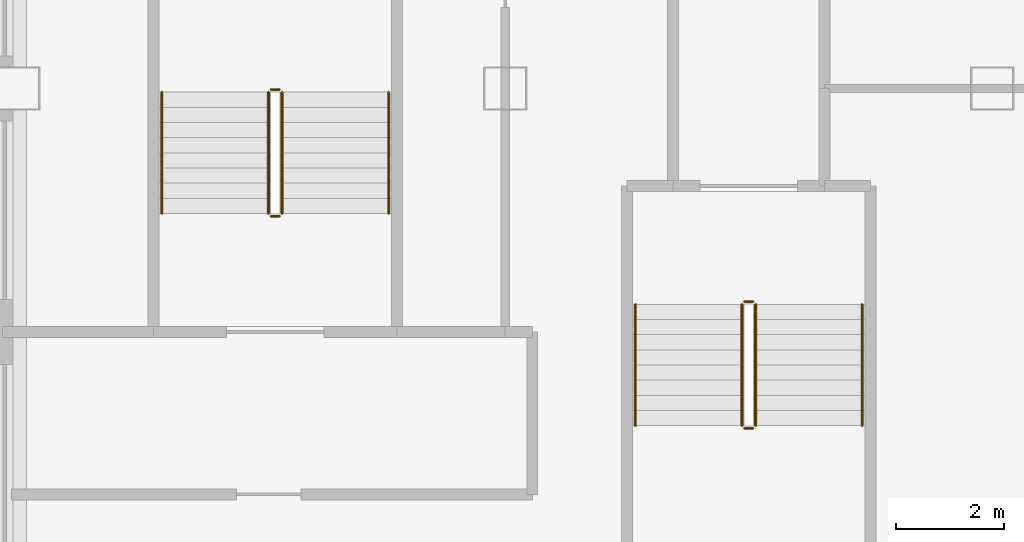
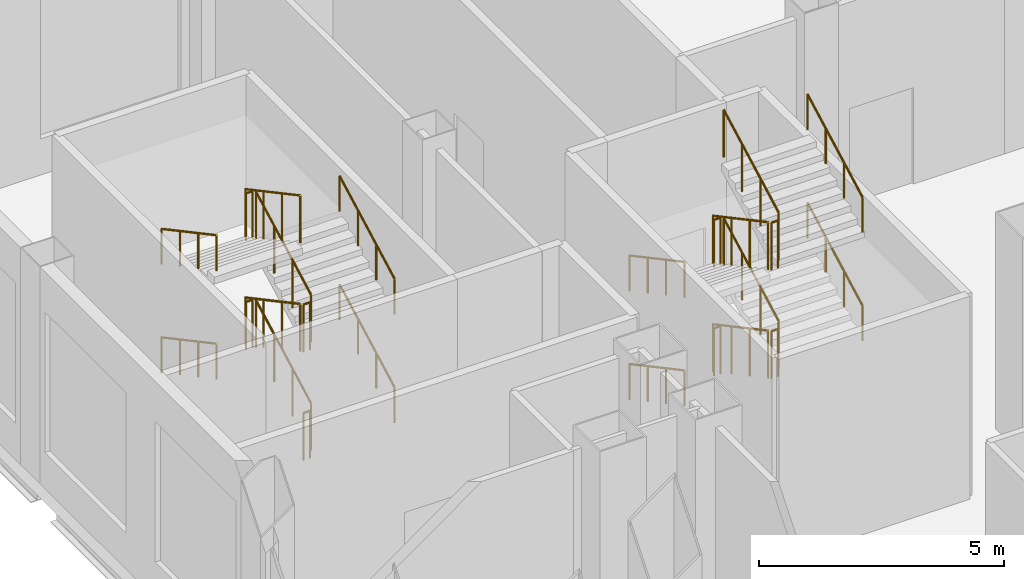
# One storey, part 25 of 27: 24 railings.
"""IFC4 building model written with IfcOpenShell, lengths in metres."""

from ifc_helpers import new_model, si_unit, direction, frame, origin, origin_2d, place, context, subcontext, project, spatial, circle, extrude, material, type_object, element, save


model = new_model("IFC4")

# Units and contexts
model_context = context("Model", 3, precision=1e-05, world=origin(), true_north=direction((0.0, 1.0)))
body_context = subcontext(model_context, "Body", "Model", "MODEL_VIEW")
ifc_project = project(units=[si_unit("LENGTHUNIT", "METRE"), si_unit("AREAUNIT", "SQUARE_METRE"), si_unit("VOLUMEUNIT", "CUBIC_METRE"), si_unit("PLANEANGLEUNIT", "RADIAN"), si_unit("MASSUNIT", "GRAM", prefix="KILO")], contexts=[model_context])

# Site, building, storey
site_placement = place(None, origin())
site = spatial("IfcSite", under=ifc_project, at=site_placement, CompositionType="ELEMENT")
building_placement = place(site_placement, origin())
building = spatial("IfcBuilding", under=site, at=building_placement, Name="Caravel Reach Hotel and Residences", CompositionType="ELEMENT")
storey_placement = place(building_placement, frame((0.0, 0.0, 6.60009765625)))
storey = spatial("IfcBuildingStorey", under=building, at=storey_placement, Name="L01", CompositionType="ELEMENT", Elevation=6.60009765625)

# Railings
ifc_material_1 = material(Name="Steel balustrade with glass infill", Category="steel")
railing_type_1 = type_object("IfcRailingType", Name="Guard 1200", PredefinedType="GUARDRAIL", material=ifc_material_1)
railing_1_placement = place(storey_placement, frame((8.875, 41.010009765625, 0.14990234375)))
element("IfcRailing", 1, at=railing_1_placement, inside=storey, type_object=railing_type_1, Name="L01 ST-P1 stair guard 1", PredefinedType="GUARDRAIL", context=body_context, shape_type="SweptSolid", body=[
    extrude(circle(Radius=0.02392578125, at=origin_2d()), frame((0.0, 0.0, 1.17578125), z_axis=(0.0, -0.881487111273, 0.472208081951), x_axis=(1.0, 0.0, 0.0)), (0.0, 0.0, 1.0), 2.541259765625),
    extrude(circle(Radius=0.02099609375, at=origin_2d()), origin(), (0.0, 0.0, 1.0), 1.15185546875),
    extrude(circle(Radius=0.02099609375, at=origin_2d()), frame((0.0, -0.74658203125, 0.39990234375)), (0.0, 0.0, 1.0), 1.15185546875),
    extrude(circle(Radius=0.02099609375, at=origin_2d()), frame((0.0, -1.493408203125, 0.800048828125)), (0.0, 0.0, 1.0), 1.15185546875),
    extrude(circle(Radius=0.02099609375, at=origin_2d()), frame((0.0, -2.239990234375, 1.199951171875)), (0.0, 0.0, 1.0), 1.15185546875),
])
railing_2_placement = place(storey_placement, frame((8.925048828125, 38.719970703125, 1.349853515625)))
element("IfcRailing", 2, at=railing_2_placement, inside=storey, type_object=railing_type_1, Name="L01 ST-P1 stair guard 2", PredefinedType="GUARDRAIL", context=body_context, shape_type="SweptSolid", body=[
    extrude(circle(Radius=0.02392578125, at=origin_2d()), frame((0.0, 0.0, 1.17578125), z_axis=(1.0, 0.0, 0.0), x_axis=(0.0, 1.0, 0.0)), (0.0, 0.0, 1.0), 0.14990234375),
    extrude(circle(Radius=0.02099609375, at=origin_2d()), origin(), (0.0, 0.0, 1.0), 1.15185546875),
    extrude(circle(Radius=0.02099609375, at=origin_2d()), frame((0.14990234375, 0.0, 0.0)), (0.0, 0.0, 1.0), 1.15185546875),
])
railing_3_placement = place(storey_placement, frame((9.125, 38.77001953125, 1.5)))
element("IfcRailing", 3, at=railing_3_placement, inside=storey, type_object=railing_type_1, Name="L01 ST-P1 stair guard 3", PredefinedType="GUARDRAIL", context=body_context, shape_type="SweptSolid", body=[
    extrude(circle(Radius=0.02392578125, at=origin_2d()), frame((0.0, 0.0, 1.17578125), z_axis=(0.0, 0.881487111273, 0.472208081951), x_axis=(-1.0, 0.0, 0.0)), (0.0, 0.0, 1.0), 2.541259765625),
    extrude(circle(Radius=0.02099609375, at=origin_2d()), origin(), (0.0, 0.0, 1.0), 1.15185546875),
    extrude(circle(Radius=0.02099609375, at=origin_2d()), frame((0.0, 0.74658203125, 0.39990234375)), (0.0, 0.0, 1.0), 1.15185546875),
    extrude(circle(Radius=0.02099609375, at=origin_2d()), frame((0.0, 1.493408203125, 0.800048828125)), (0.0, 0.0, 1.0), 1.15185546875),
    extrude(circle(Radius=0.02099609375, at=origin_2d()), frame((0.0, 2.239990234375, 1.199951171875)), (0.0, 0.0, 1.0), 1.15185546875),
])
railing_4_placement = place(storey_placement, frame((8.925048828125, 41.06005859375, 2.699951171875)))
element("IfcRailing", 4, at=railing_4_placement, inside=storey, type_object=railing_type_1, Name="L01 ST-P1 stair guard 4", PredefinedType="GUARDRAIL", context=body_context, shape_type="SweptSolid", body=[
    extrude(circle(Radius=0.02392578125, at=origin_2d()), frame((0.0, 0.0, 1.17578125), z_axis=(1.0, 0.0, 0.0), x_axis=(0.0, 1.0, 0.0)), (0.0, 0.0, 1.0), 0.14990234375),
    extrude(circle(Radius=0.02099609375, at=origin_2d()), origin(), (0.0, 0.0, 1.0), 1.15185546875),
    extrude(circle(Radius=0.02099609375, at=origin_2d()), frame((0.14990234375, 0.0, 0.0)), (0.0, 0.0, 1.0), 1.15185546875),
])
railing_5_placement = place(storey_placement, frame((8.875, 41.010009765625, 2.849853515625)))
element("IfcRailing", 5, at=railing_5_placement, inside=storey, type_object=railing_type_1, Name="L01 ST-P1 stair guard 5", PredefinedType="GUARDRAIL", context=body_context, shape_type="SweptSolid", body=[
    extrude(circle(Radius=0.02392578125, at=origin_2d()), frame((0.0, 0.0, 1.17578125), z_axis=(0.0, -0.881487111273, 0.472208081951), x_axis=(1.0, 0.0, 0.0)), (0.0, 0.0, 1.0), 2.541259765625),
    extrude(circle(Radius=0.02099609375, at=origin_2d()), origin(), (0.0, 0.0, 1.0), 1.15185546875),
    extrude(circle(Radius=0.02099609375, at=origin_2d()), frame((0.0, -0.74658203125, 0.39990234375)), (0.0, 0.0, 1.0), 1.15185546875),
    extrude(circle(Radius=0.02099609375, at=origin_2d()), frame((0.0, -1.493408203125, 0.800048828125)), (0.0, 0.0, 1.0), 1.15185546875),
    extrude(circle(Radius=0.02099609375, at=origin_2d()), frame((0.0, -2.239990234375, 1.199951171875)), (0.0, 0.0, 1.0), 1.15185546875),
])
railing_6_placement = place(storey_placement, frame((8.925048828125, 38.719970703125, 4.0498046875)))
element("IfcRailing", 6, at=railing_6_placement, inside=storey, type_object=railing_type_1, Name="L01 ST-P1 stair guard 6", PredefinedType="GUARDRAIL", context=body_context, shape_type="SweptSolid", body=[
    extrude(circle(Radius=0.02392578125, at=origin_2d()), frame((0.0, 0.0, 1.17578125), z_axis=(1.0, 0.0, 0.0), x_axis=(0.0, 1.0, 0.0)), (0.0, 0.0, 1.0), 0.14990234375),
    extrude(circle(Radius=0.02099609375, at=origin_2d()), origin(), (0.0, 0.0, 1.0), 1.15185546875),
    extrude(circle(Radius=0.02099609375, at=origin_2d()), frame((0.14990234375, 0.0, 0.0)), (0.0, 0.0, 1.0), 1.15185546875),
])
railing_7_placement = place(storey_placement, frame((9.125, 38.77001953125, 4.199951171875)))
element("IfcRailing", 7, at=railing_7_placement, inside=storey, type_object=railing_type_1, Name="L01 ST-P1 stair guard 7", PredefinedType="GUARDRAIL", context=body_context, shape_type="SweptSolid", body=[
    extrude(circle(Radius=0.02392578125, at=origin_2d()), frame((0.0, 0.0, 1.17578125), z_axis=(0.0, 0.881487111273, 0.472208081951), x_axis=(-1.0, 0.0, 0.0)), (0.0, 0.0, 1.0), 2.541259765625),
    extrude(circle(Radius=0.02099609375, at=origin_2d()), origin(), (0.0, 0.0, 1.0), 1.15185546875),
    extrude(circle(Radius=0.02099609375, at=origin_2d()), frame((0.0, 0.74658203125, 0.39990234375)), (0.0, 0.0, 1.0), 1.15185546875),
    extrude(circle(Radius=0.02099609375, at=origin_2d()), frame((0.0, 1.493408203125, 0.800048828125)), (0.0, 0.0, 1.0), 1.15185546875),
    extrude(circle(Radius=0.02099609375, at=origin_2d()), frame((0.0, 2.239990234375, 1.199951171875)), (0.0, 0.0, 1.0), 1.15185546875),
])
railing_8_placement = place(storey_placement, frame((8.925048828125, 41.06005859375, 0.0)))
element("IfcRailing", 8, at=railing_8_placement, inside=storey, type_object=railing_type_1, Name="L01 ST-P1 stair guard 8", PredefinedType="GUARDRAIL", context=body_context, shape_type="SweptSolid", body=[
    extrude(circle(Radius=0.02392578125, at=origin_2d()), frame((0.0, 0.0, 1.17578125), z_axis=(1.0, 0.0, 0.0), x_axis=(0.0, 1.0, 0.0)), (0.0, 0.0, 1.0), 0.14990234375),
    extrude(circle(Radius=0.02099609375, at=origin_2d()), origin(), (0.0, 0.0, 1.0), 1.15185546875),
    extrude(circle(Radius=0.02099609375, at=origin_2d()), frame((0.14990234375, 0.0, 0.0)), (0.0, 0.0, 1.0), 1.15185546875),
])
railing_9_placement = place(storey_placement, frame((0.375, 42.68994140625, 0.14990234375)))
element("IfcRailing", 9, at=railing_9_placement, inside=storey, type_object=railing_type_1, Name="L01 ST-P5 stair guard 1", PredefinedType="GUARDRAIL", context=body_context, shape_type="SweptSolid", body=[
    extrude(circle(Radius=0.02392578125, at=origin_2d()), frame((0.0, 0.0, 1.17578125), z_axis=(0.0, 0.881487111273, 0.472208081951), x_axis=(-1.0, 0.0, 0.0)), (0.0, 0.0, 1.0), 2.541259765625),
    extrude(circle(Radius=0.02099609375, at=origin_2d()), origin(), (0.0, 0.0, 1.0), 1.15185546875),
    extrude(circle(Radius=0.02099609375, at=origin_2d()), frame((0.0, 0.74658203125, 0.39990234375)), (0.0, 0.0, 1.0), 1.15185546875),
    extrude(circle(Radius=0.02099609375, at=origin_2d()), frame((0.0, 1.493408203125, 0.800048828125)), (0.0, 0.0, 1.0), 1.15185546875),
    extrude(circle(Radius=0.02099609375, at=origin_2d()), frame((0.0, 2.239990234375, 1.199951171875)), (0.0, 0.0, 1.0), 1.15185546875),
])
railing_10_placement = place(storey_placement, frame((0.324951171875, 44.97998046875, 1.349853515625)))
element("IfcRailing", 10, at=railing_10_placement, inside=storey, type_object=railing_type_1, Name="L01 ST-P5 stair guard 2", PredefinedType="GUARDRAIL", context=body_context, shape_type="SweptSolid", body=[
    extrude(circle(Radius=0.02392578125, at=origin_2d()), frame((0.0, 0.0, 1.17578125), z_axis=(-1.0, 0.0, 0.0), x_axis=(0.0, -1.0, 0.0)), (0.0, 0.0, 1.0), 0.14990234375),
    extrude(circle(Radius=0.02099609375, at=origin_2d()), origin(), (0.0, 0.0, 1.0), 1.15185546875),
    extrude(circle(Radius=0.02099609375, at=origin_2d()), frame((-0.14990234375, 0.0, 0.0)), (0.0, 0.0, 1.0), 1.15185546875),
])
railing_11_placement = place(storey_placement, frame((0.125, 44.929931640625, 1.5)))
element("IfcRailing", 11, at=railing_11_placement, inside=storey, type_object=railing_type_1, Name="L01 ST-P5 stair guard 3", PredefinedType="GUARDRAIL", context=body_context, shape_type="SweptSolid", body=[
    extrude(circle(Radius=0.02392578125, at=origin_2d()), frame((0.0, 0.0, 1.17578125), z_axis=(0.0, -0.881487111273, 0.472208081951), x_axis=(1.0, 0.0, 0.0)), (0.0, 0.0, 1.0), 2.541259765625),
    extrude(circle(Radius=0.02099609375, at=origin_2d()), origin(), (0.0, 0.0, 1.0), 1.15185546875),
    extrude(circle(Radius=0.02099609375, at=origin_2d()), frame((0.0, -0.74658203125, 0.39990234375)), (0.0, 0.0, 1.0), 1.15185546875),
    extrude(circle(Radius=0.02099609375, at=origin_2d()), frame((0.0, -1.493408203125, 0.800048828125)), (0.0, 0.0, 1.0), 1.15185546875),
    extrude(circle(Radius=0.02099609375, at=origin_2d()), frame((0.0, -2.239990234375, 1.199951171875)), (0.0, 0.0, 1.0), 1.15185546875),
])
railing_12_placement = place(storey_placement, frame((0.324951171875, 42.639892578125, 2.699951171875)))
element("IfcRailing", 12, at=railing_12_placement, inside=storey, type_object=railing_type_1, Name="L01 ST-P5 stair guard 4", PredefinedType="GUARDRAIL", context=body_context, shape_type="SweptSolid", body=[
    extrude(circle(Radius=0.02392578125, at=origin_2d()), frame((0.0, 0.0, 1.17578125), z_axis=(-1.0, 0.0, 0.0), x_axis=(0.0, -1.0, 0.0)), (0.0, 0.0, 1.0), 0.14990234375),
    extrude(circle(Radius=0.02099609375, at=origin_2d()), origin(), (0.0, 0.0, 1.0), 1.15185546875),
    extrude(circle(Radius=0.02099609375, at=origin_2d()), frame((-0.14990234375, 0.0, 0.0)), (0.0, 0.0, 1.0), 1.15185546875),
])
railing_13_placement = place(storey_placement, frame((0.375, 42.68994140625, 2.849853515625)))
element("IfcRailing", 13, at=railing_13_placement, inside=storey, type_object=railing_type_1, Name="L01 ST-P5 stair guard 5", PredefinedType="GUARDRAIL", context=body_context, shape_type="SweptSolid", body=[
    extrude(circle(Radius=0.02392578125, at=origin_2d()), frame((0.0, 0.0, 1.17578125), z_axis=(0.0, 0.881487111273, 0.472208081951), x_axis=(-1.0, 0.0, 0.0)), (0.0, 0.0, 1.0), 2.541259765625),
    extrude(circle(Radius=0.02099609375, at=origin_2d()), origin(), (0.0, 0.0, 1.0), 1.15185546875),
    extrude(circle(Radius=0.02099609375, at=origin_2d()), frame((0.0, 0.74658203125, 0.39990234375)), (0.0, 0.0, 1.0), 1.15185546875),
    extrude(circle(Radius=0.02099609375, at=origin_2d()), frame((0.0, 1.493408203125, 0.800048828125)), (0.0, 0.0, 1.0), 1.15185546875),
    extrude(circle(Radius=0.02099609375, at=origin_2d()), frame((0.0, 2.239990234375, 1.199951171875)), (0.0, 0.0, 1.0), 1.15185546875),
])
railing_14_placement = place(storey_placement, frame((0.324951171875, 44.97998046875, 4.0498046875)))
element("IfcRailing", 14, at=railing_14_placement, inside=storey, type_object=railing_type_1, Name="L01 ST-P5 stair guard 6", PredefinedType="GUARDRAIL", context=body_context, shape_type="SweptSolid", body=[
    extrude(circle(Radius=0.02392578125, at=origin_2d()), frame((0.0, 0.0, 1.17578125), z_axis=(-1.0, 0.0, 0.0), x_axis=(0.0, -1.0, 0.0)), (0.0, 0.0, 1.0), 0.14990234375),
    extrude(circle(Radius=0.02099609375, at=origin_2d()), origin(), (0.0, 0.0, 1.0), 1.15185546875),
    extrude(circle(Radius=0.02099609375, at=origin_2d()), frame((-0.14990234375, 0.0, 0.0)), (0.0, 0.0, 1.0), 1.15185546875),
])
railing_15_placement = place(storey_placement, frame((0.125, 44.929931640625, 4.199951171875)))
element("IfcRailing", 15, at=railing_15_placement, inside=storey, type_object=railing_type_1, Name="L01 ST-P5 stair guard 7", PredefinedType="GUARDRAIL", context=body_context, shape_type="SweptSolid", body=[
    extrude(circle(Radius=0.02392578125, at=origin_2d()), frame((0.0, 0.0, 1.17578125), z_axis=(0.0, -0.881487111273, 0.472208081951), x_axis=(1.0, 0.0, 0.0)), (0.0, 0.0, 1.0), 2.541259765625),
    extrude(circle(Radius=0.02099609375, at=origin_2d()), origin(), (0.0, 0.0, 1.0), 1.15185546875),
    extrude(circle(Radius=0.02099609375, at=origin_2d()), frame((0.0, -0.74658203125, 0.39990234375)), (0.0, 0.0, 1.0), 1.15185546875),
    extrude(circle(Radius=0.02099609375, at=origin_2d()), frame((0.0, -1.493408203125, 0.800048828125)), (0.0, 0.0, 1.0), 1.15185546875),
    extrude(circle(Radius=0.02099609375, at=origin_2d()), frame((0.0, -2.239990234375, 1.199951171875)), (0.0, 0.0, 1.0), 1.15185546875),
])
railing_16_placement = place(storey_placement, frame((0.324951171875, 42.639892578125, 0.0)))
element("IfcRailing", 16, at=railing_16_placement, inside=storey, type_object=railing_type_1, Name="L01 ST-P5 stair guard 8", PredefinedType="GUARDRAIL", context=body_context, shape_type="SweptSolid", body=[
    extrude(circle(Radius=0.02392578125, at=origin_2d()), frame((0.0, 0.0, 1.17578125), z_axis=(-1.0, 0.0, 0.0), x_axis=(0.0, -1.0, 0.0)), (0.0, 0.0, 1.0), 0.14990234375),
    extrude(circle(Radius=0.02099609375, at=origin_2d()), origin(), (0.0, 0.0, 1.0), 1.15185546875),
    extrude(circle(Radius=0.02099609375, at=origin_2d()), frame((-0.14990234375, 0.0, 0.0)), (0.0, 0.0, 1.0), 1.15185546875),
])
ifc_material_2 = material(Name="Stainless steel handrail", Category="steel")
railing_type_2 = type_object("IfcRailingType", Name="Handrail 900", PredefinedType="HANDRAIL", material=ifc_material_2)
railing_17_placement = place(storey_placement, frame((6.905029296875, 41.010009765625, 0.14990234375)))
element("IfcRailing", 17, at=railing_17_placement, inside=storey, type_object=railing_type_2, Name="L01 ST-P1 stair handrail 1", PredefinedType="HANDRAIL", context=body_context, shape_type="SweptSolid", body=[
    extrude(circle(Radius=0.02392578125, at=origin_2d()), frame((0.0, 0.0, 0.8759765625), z_axis=(0.0, -0.881487111273, 0.472208081951), x_axis=(1.0, 0.0, 0.0)), (0.0, 0.0, 1.0), 2.541259765625),
    extrude(circle(Radius=0.02099609375, at=origin_2d()), origin(), (0.0, 0.0, 1.0), 0.851806640625),
    extrude(circle(Radius=0.02099609375, at=origin_2d()), frame((0.0, -0.74658203125, 0.39990234375)), (0.0, 0.0, 1.0), 0.851806640625),
    extrude(circle(Radius=0.02099609375, at=origin_2d()), frame((0.0, -1.493408203125, 0.800048828125)), (0.0, 0.0, 1.0), 0.851806640625),
    extrude(circle(Radius=0.02099609375, at=origin_2d()), frame((0.0, -2.239990234375, 1.199951171875)), (0.0, 0.0, 1.0), 0.851806640625),
])
railing_18_placement = place(storey_placement, frame((11.094970703125, 38.77001953125, 1.5)))
element("IfcRailing", 18, at=railing_18_placement, inside=storey, type_object=railing_type_2, Name="L01 ST-P1 stair handrail 2", PredefinedType="HANDRAIL", context=body_context, shape_type="SweptSolid", body=[
    extrude(circle(Radius=0.02392578125, at=origin_2d()), frame((0.0, 0.0, 0.8759765625), z_axis=(0.0, 0.881487111273, 0.472208081951), x_axis=(-1.0, 0.0, 0.0)), (0.0, 0.0, 1.0), 2.541259765625),
    extrude(circle(Radius=0.02099609375, at=origin_2d()), origin(), (0.0, 0.0, 1.0), 0.851806640625),
    extrude(circle(Radius=0.02099609375, at=origin_2d()), frame((0.0, 0.74658203125, 0.39990234375)), (0.0, 0.0, 1.0), 0.851806640625),
    extrude(circle(Radius=0.02099609375, at=origin_2d()), frame((0.0, 1.493408203125, 0.800048828125)), (0.0, 0.0, 1.0), 0.851806640625),
    extrude(circle(Radius=0.02099609375, at=origin_2d()), frame((0.0, 2.239990234375, 1.199951171875)), (0.0, 0.0, 1.0), 0.851806640625),
])
railing_19_placement = place(storey_placement, frame((6.905029296875, 41.010009765625, 2.849853515625)))
element("IfcRailing", 19, at=railing_19_placement, inside=storey, type_object=railing_type_2, Name="L01 ST-P1 stair handrail 3", PredefinedType="HANDRAIL", context=body_context, shape_type="SweptSolid", body=[
    extrude(circle(Radius=0.02392578125, at=origin_2d()), frame((0.0, 0.0, 0.8759765625), z_axis=(0.0, -0.881487111273, 0.472208081951), x_axis=(1.0, 0.0, 0.0)), (0.0, 0.0, 1.0), 2.541259765625),
    extrude(circle(Radius=0.02099609375, at=origin_2d()), origin(), (0.0, 0.0, 1.0), 0.851806640625),
    extrude(circle(Radius=0.02099609375, at=origin_2d()), frame((0.0, -0.74658203125, 0.39990234375)), (0.0, 0.0, 1.0), 0.851806640625),
    extrude(circle(Radius=0.02099609375, at=origin_2d()), frame((0.0, -1.493408203125, 0.800048828125)), (0.0, 0.0, 1.0), 0.851806640625),
    extrude(circle(Radius=0.02099609375, at=origin_2d()), frame((0.0, -2.239990234375, 1.199951171875)), (0.0, 0.0, 1.0), 0.851806640625),
])
for number, where, name in (
    (20, (11.094970703125, 38.77001953125, 4.199951171875), "L01 ST-P1 stair handrail 4"),
    (21, (2.344970703125, 42.68994140625, 0.14990234375), "L01 ST-P5 stair handrail 1"),
):
    element("IfcRailing", number, at=place(storey_placement, frame(where)), inside=storey, type_object=railing_type_2, Name=name, PredefinedType="HANDRAIL", context=body_context, shape_type="SweptSolid", body=[
        extrude(circle(Radius=0.02392578125, at=origin_2d()), frame((0.0, 0.0, 0.8759765625), z_axis=(0.0, 0.881487111273, 0.472208081951), x_axis=(-1.0, 0.0, 0.0)), (0.0, 0.0, 1.0), 2.541259765625),
        extrude(circle(Radius=0.02099609375, at=origin_2d()), origin(), (0.0, 0.0, 1.0), 0.851806640625),
        extrude(circle(Radius=0.02099609375, at=origin_2d()), frame((0.0, 0.74658203125, 0.39990234375)), (0.0, 0.0, 1.0), 0.851806640625),
        extrude(circle(Radius=0.02099609375, at=origin_2d()), frame((0.0, 1.493408203125, 0.800048828125)), (0.0, 0.0, 1.0), 0.851806640625),
        extrude(circle(Radius=0.02099609375, at=origin_2d()), frame((0.0, 2.239990234375, 1.199951171875)), (0.0, 0.0, 1.0), 0.851806640625),
    ])
railing_20_placement = place(storey_placement, frame((-1.844970703125, 44.929931640625, 1.5)))
element("IfcRailing", 22, at=railing_20_placement, inside=storey, type_object=railing_type_2, Name="L01 ST-P5 stair handrail 2", PredefinedType="HANDRAIL", context=body_context, shape_type="SweptSolid", body=[
    extrude(circle(Radius=0.02392578125, at=origin_2d()), frame((0.0, 0.0, 0.8759765625), z_axis=(0.0, -0.881487111273, 0.472208081951), x_axis=(1.0, 0.0, 0.0)), (0.0, 0.0, 1.0), 2.541259765625),
    extrude(circle(Radius=0.02099609375, at=origin_2d()), origin(), (0.0, 0.0, 1.0), 0.851806640625),
    extrude(circle(Radius=0.02099609375, at=origin_2d()), frame((0.0, -0.74658203125, 0.39990234375)), (0.0, 0.0, 1.0), 0.851806640625),
    extrude(circle(Radius=0.02099609375, at=origin_2d()), frame((0.0, -1.493408203125, 0.800048828125)), (0.0, 0.0, 1.0), 0.851806640625),
    extrude(circle(Radius=0.02099609375, at=origin_2d()), frame((0.0, -2.239990234375, 1.199951171875)), (0.0, 0.0, 1.0), 0.851806640625),
])
railing_21_placement = place(storey_placement, frame((2.344970703125, 42.68994140625, 2.849853515625)))
element("IfcRailing", 23, at=railing_21_placement, inside=storey, type_object=railing_type_2, Name="L01 ST-P5 stair handrail 3", PredefinedType="HANDRAIL", context=body_context, shape_type="SweptSolid", body=[
    extrude(circle(Radius=0.02392578125, at=origin_2d()), frame((0.0, 0.0, 0.8759765625), z_axis=(0.0, 0.881487111273, 0.472208081951), x_axis=(-1.0, 0.0, 0.0)), (0.0, 0.0, 1.0), 2.541259765625),
    extrude(circle(Radius=0.02099609375, at=origin_2d()), origin(), (0.0, 0.0, 1.0), 0.851806640625),
    extrude(circle(Radius=0.02099609375, at=origin_2d()), frame((0.0, 0.74658203125, 0.39990234375)), (0.0, 0.0, 1.0), 0.851806640625),
    extrude(circle(Radius=0.02099609375, at=origin_2d()), frame((0.0, 1.493408203125, 0.800048828125)), (0.0, 0.0, 1.0), 0.851806640625),
    extrude(circle(Radius=0.02099609375, at=origin_2d()), frame((0.0, 2.239990234375, 1.199951171875)), (0.0, 0.0, 1.0), 0.851806640625),
])
railing_22_placement = place(storey_placement, frame((-1.844970703125, 44.929931640625, 4.199951171875)))
element("IfcRailing", 24, at=railing_22_placement, inside=storey, type_object=railing_type_2, Name="L01 ST-P5 stair handrail 4", PredefinedType="HANDRAIL", context=body_context, shape_type="SweptSolid", body=[
    extrude(circle(Radius=0.02392578125, at=origin_2d()), frame((0.0, 0.0, 0.8759765625), z_axis=(0.0, -0.881487111273, 0.472208081951), x_axis=(1.0, 0.0, 0.0)), (0.0, 0.0, 1.0), 2.541259765625),
    extrude(circle(Radius=0.02099609375, at=origin_2d()), origin(), (0.0, 0.0, 1.0), 0.851806640625),
    extrude(circle(Radius=0.02099609375, at=origin_2d()), frame((0.0, -0.74658203125, 0.39990234375)), (0.0, 0.0, 1.0), 0.851806640625),
    extrude(circle(Radius=0.02099609375, at=origin_2d()), frame((0.0, -1.493408203125, 0.800048828125)), (0.0, 0.0, 1.0), 0.851806640625),
    extrude(circle(Radius=0.02099609375, at=origin_2d()), frame((0.0, -2.239990234375, 1.199951171875)), (0.0, 0.0, 1.0), 0.851806640625),
])

save(model, "model.ifc")
